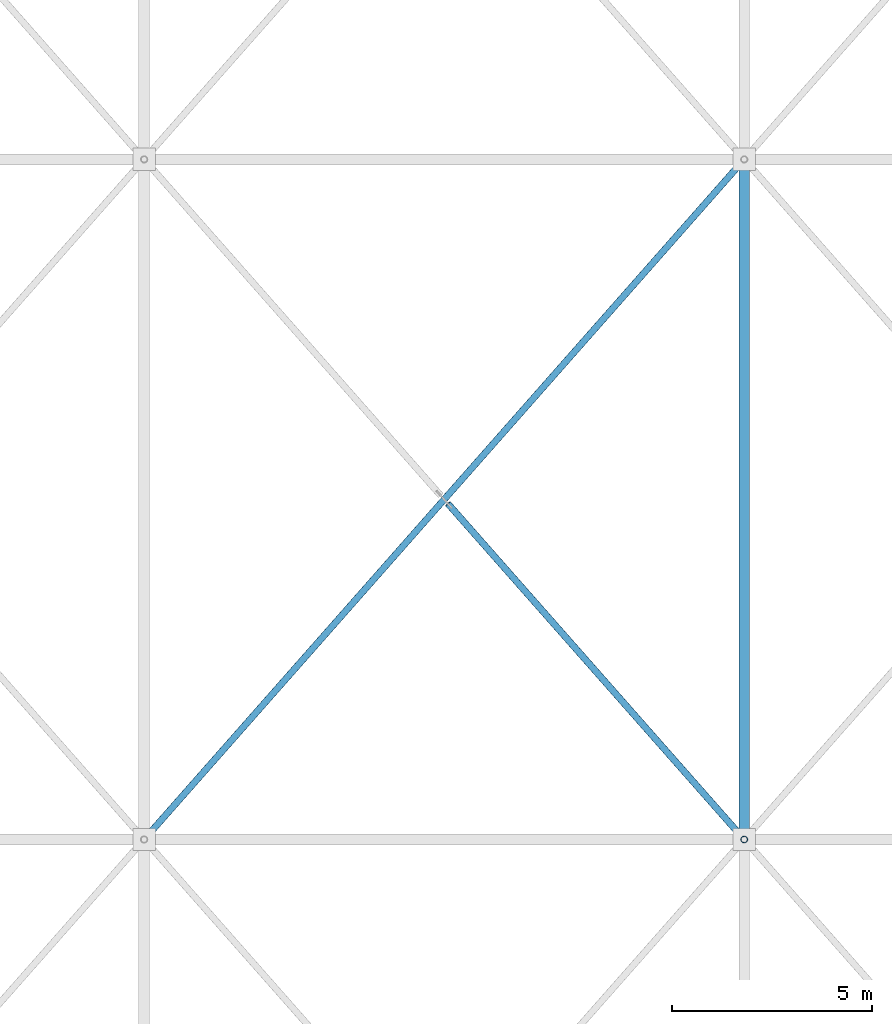
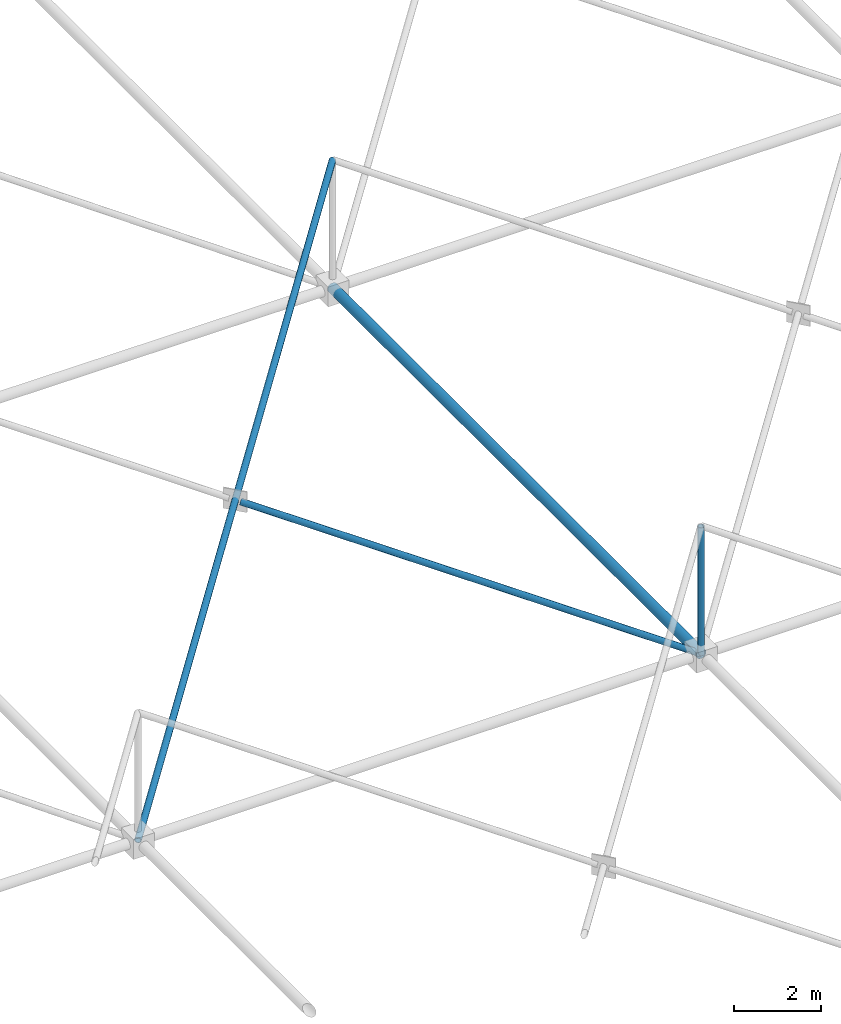
# One storey, part 78 of 224: 4 members.
"""IFC4 building model written with IfcOpenShell, lengths in metres."""

from ifc_helpers import new_model, si_unit, direction, frame, origin, origin_2d, place, context, subcontext, project, spatial, hollow_circle, extrude, material, material_profile, profile_set, type_object, element, save


model = new_model("IFC4")

# Units and contexts
model_context = context("Model", 3, precision=1e-05, world=origin(), true_north=direction((0.0, 1.0)))
body_context = subcontext(model_context, "Body", "Model", "MODEL_VIEW")
ifc_project = project(units=[si_unit("LENGTHUNIT", "METRE"), si_unit("AREAUNIT", "SQUARE_METRE"), si_unit("VOLUMEUNIT", "CUBIC_METRE"), si_unit("PLANEANGLEUNIT", "RADIAN"), si_unit("MASSUNIT", "GRAM", prefix="KILO")], contexts=[model_context])

# Site, building, storey
site_placement = place(None, origin())
site = spatial("IfcSite", under=ifc_project, at=site_placement, CompositionType="ELEMENT")
building_placement = place(site_placement, origin())
building = spatial("IfcBuilding", under=site, at=building_placement, Name="Qamarlyn Nura Convention Centre", CompositionType="ELEMENT")
storey_placement = place(building_placement, frame((0.0, 0.0, 10.800048828125)))
storey = spatial("IfcBuildingStorey", under=building, at=storey_placement, Name="L02", CompositionType="ELEMENT", Elevation=10.800048828125)

# Members
ifc_material = material(Name="Pearl-white PVDF steel ASTM A500 Grade C", Category="steel")
ifc_material_profile_1 = material_profile(ifc_material, hollow_circle(Radius=0.136474609375, WallThickness=0.012451171875, at=origin_2d()), Name="CHS273X12.5")
ifc_profile_set_1 = profile_set([ifc_material_profile_1], Name="Pearl-white PVDF steel ASTM A500 Grade C")
member_type_1 = type_object("IfcMemberType", Name="SF-BC-MAIN", PredefinedType="CHORD", material=ifc_profile_set_1)
member_1_placement = place(storey_placement, frame((45.0, 69.0, 0.800048828125), z_axis=(0.0, 1.0, 0.0), x_axis=(-1.0, 0.0, 0.0)))
element("IfcMember", 1, at=member_1_placement, inside=storey, type_object=member_type_1, Name="ROOF TRUSS space frame bottom chord Y5-5", PredefinedType="CHORD", context=body_context, shape_type="SweptSolid", body=[
    extrude(hollow_circle(Radius=0.136474609375, WallThickness=0.012451171875, at=origin_2d()), origin(), (0.0, 0.0, 1.0), 17.0),
])
ifc_material_profile_2 = material_profile(ifc_material, hollow_circle(Radius=0.084228515625, WallThickness=0.008056640625, at=origin_2d()), Name="CHS168.3X8")
ifc_profile_set_2 = profile_set([ifc_material_profile_2], Name="Pearl-white PVDF steel ASTM A500 Grade C")
member_type_2 = type_object("IfcMemberType", Name="SF-WEB-STD", PredefinedType="BRACE", material=ifc_profile_set_2)
member_2_placement = place(storey_placement, frame((30.0, 69.0, 0.800048828125), z_axis=(0.653435715467, 0.74056047753, 0.156818190504), x_axis=(-0.749837855365, 0.661621637087, 0.0)))
element("IfcMember", 2, at=member_2_placement, inside=storey, type_object=member_type_2, Name="ROOF TRUSS space frame diagonal A 4-5", PredefinedType="BRACE", context=body_context, shape_type="SweptSolid", body=[
    extrude(hollow_circle(Radius=0.084228515625, WallThickness=0.008056640625, at=origin_2d()), origin(), (0.0, 0.0, 1.0), 22.95556640625),
])
member_3_placement = place(storey_placement, frame((45.0, 69.0, 0.800048828125), z_axis=(-0.653372722779, 0.740489085816, 0.157416641168), x_axis=(-0.749837855365, -0.661621637087, 0.0)))
element("IfcMember", 3, at=member_3_placement, inside=storey, type_object=member_type_2, Name="ROOF TRUSS space frame split diagonal B1 4-5", PredefinedType="BRACE", context=body_context, shape_type="SweptSolid", body=[
    extrude(hollow_circle(Radius=0.084228515625, WallThickness=0.008056640625, at=origin_2d()), origin(), (0.0, 0.0, 1.0), 11.3388671875),
])
member_4_placement = place(storey_placement, frame((45.0, 69.0, 0.800048828125), z_axis=(0.0, 0.0, 1.0), x_axis=(1.0, 0.0, 0.0)))
element("IfcMember", 4, at=member_4_placement, inside=storey, type_object=member_type_2, Name="ROOF TRUSS space frame vertical 5-5", PredefinedType="BRACE", context=body_context, shape_type="SweptSolid", body=[
    extrude(hollow_circle(Radius=0.084228515625, WallThickness=0.008056640625, at=origin_2d()), origin(), (0.0, 0.0, 1.0), 3.599853515625),
])

save(model, "model.ifc")
